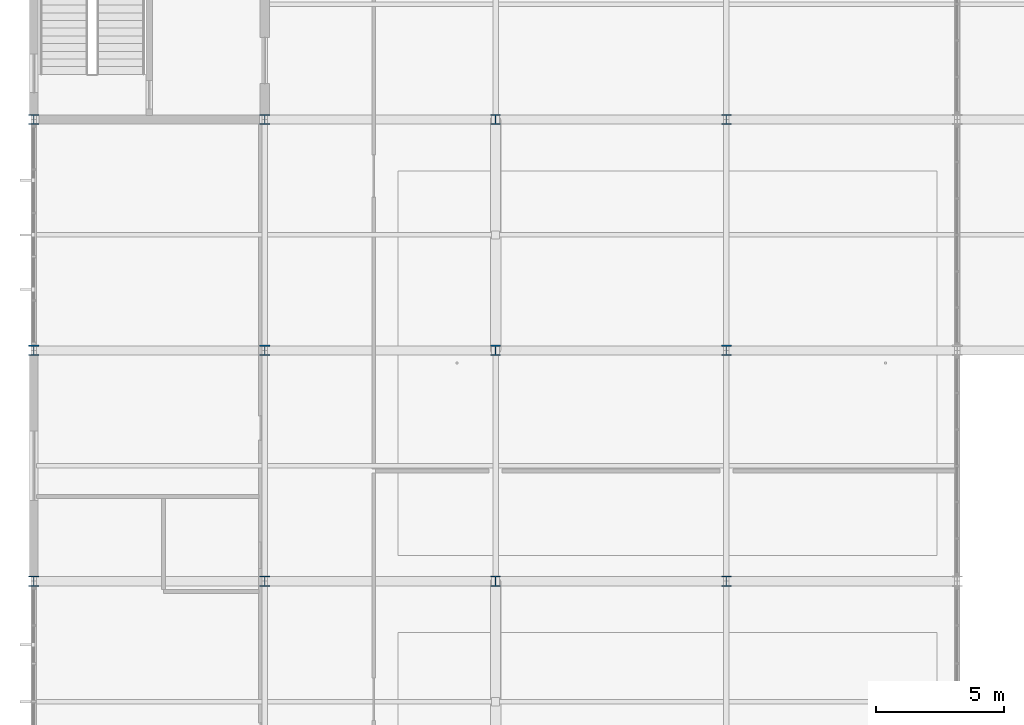
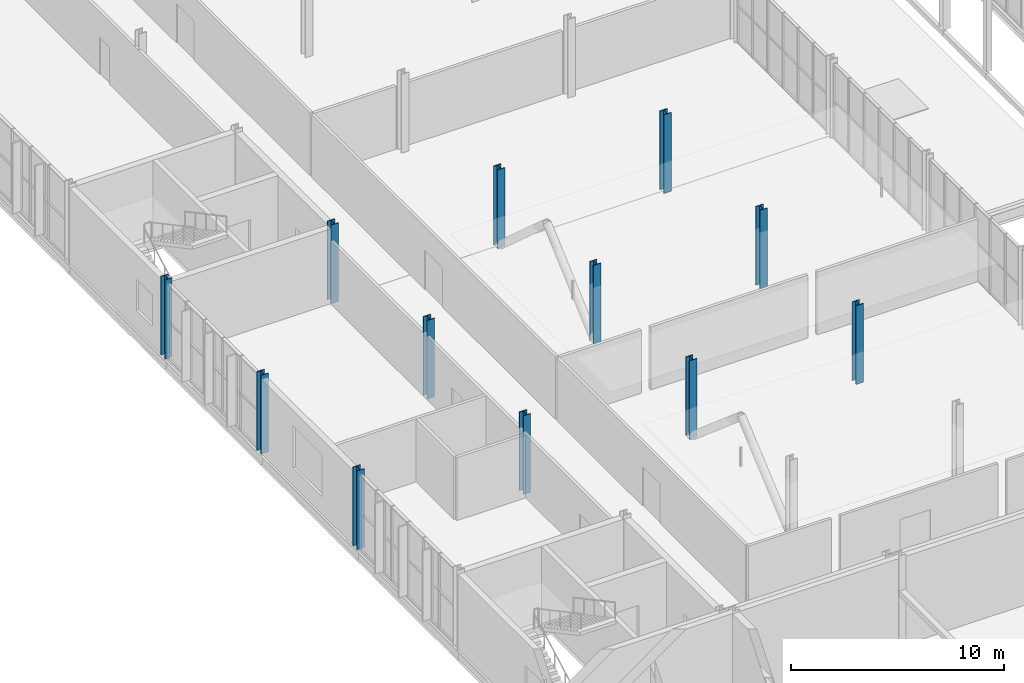
# One storey, part 8 of 134: 12 columns.
"""IFC4 building model written with IfcOpenShell, lengths in metres."""

from ifc_helpers import new_model, si_unit, direction, frame, origin, origin_2d, place, context, subcontext, project, spatial, i_section, extrude, material, material_profile, profile_set, type_object, element, save


model = new_model("IFC4")

# Units and contexts
model_context = context("Model", 3, precision=1e-05, world=origin(), true_north=direction((0.0, 1.0)))
body_context = subcontext(model_context, "Body", "Model", "MODEL_VIEW")
ifc_project = project(units=[si_unit("LENGTHUNIT", "METRE"), si_unit("AREAUNIT", "SQUARE_METRE"), si_unit("VOLUMEUNIT", "CUBIC_METRE"), si_unit("PLANEANGLEUNIT", "RADIAN"), si_unit("MASSUNIT", "GRAM", prefix="KILO")], contexts=[model_context])

# Site, building, storey
site_placement = place(None, origin())
site = spatial("IfcSite", under=ifc_project, at=site_placement, CompositionType="ELEMENT")
building_placement = place(site_placement, origin())
building = spatial("IfcBuilding", under=site, at=building_placement, Name="Cazmaro Siding Exhibition Halls", CompositionType="ELEMENT")
storey_placement = place(building_placement, frame((0.0, 0.0, 12.0)))
storey = spatial("IfcBuildingStorey", under=building, at=storey_placement, Name="L02", CompositionType="ELEMENT", Elevation=12.0)

# Columns
ifc_material = material(Name="Steel ASTM A992 Grade 50", Category="steel")
ifc_material_profile = material_profile(ifc_material, i_section(OverallWidth=0.40087890625, OverallDepth=0.39892578125, WebThickness=0.02490234375, FlangeThickness=0.0400390625, at=origin_2d()), Name="W14X211")
ifc_profile_set = profile_set([ifc_material_profile], Name="Steel ASTM A992 Grade 50")
column_type = type_object("IfcColumnType", Name="C-02", PredefinedType="COLUMN", material=ifc_profile_set)
for number, where, z_axis, x_axis, name in (
    (1, (0.0, 73.0, 0.0), (0.0, 0.0, 1.0), (1.0, 0.0, 0.0), "Column C-02 COL-0893"),
    (2, (0.0, 82.0, 0.0), (0.0, 0.0, 1.0), (1.0, 0.0, 0.0), "Column C-02 COL-0898"),
    (3, (0.0, 91.0, 0.0), (0.0, 0.0, 1.0), (1.0, 0.0, 0.0), "Column C-02 COL-0903"),
    (4, (9.0, 73.0, 0.0), (0.0, 0.0, 1.0), (1.0, 0.0, 0.0), "Column C-02 COL-0933"),
    (5, (9.0, 82.0, 0.0), (0.0, 0.0, 1.0), (1.0, 0.0, 0.0), "Column C-02 COL-0938"),
    (6, (9.0, 91.0, 0.0), (0.0, 0.0, 1.0), (1.0, 0.0, 0.0), "Column C-02 COL-0943"),
    (7, (18.0, 73.0, 0.0), (0.0, 0.0, 1.0), (1.0, 0.0, 0.0), "Column C-02 COL-0973"),
    (8, (18.0, 82.0, 0.0), (0.0, 0.0, 1.0), (1.0, 0.0, 0.0), "Column C-02 COL-0978"),
    (9, (18.0, 91.0, 0.0), (0.0, 0.0, 1.0), (1.0, 0.0, 0.0), "Column C-02 COL-0983"),
    (10, (27.0, 73.0, 0.0), (0.0, 0.0, 1.0), (1.0, 0.0, 0.0), "Column C-02 COL-1013"),
    (11, (27.0, 82.0, 0.0), (0.0, 0.0, 1.0), (1.0, 0.0, 0.0), "Column C-02 COL-1018"),
    (12, (27.0, 91.0, 0.0), (0.0, 0.0, 1.0), (1.0, 0.0, 0.0), "Column C-02 COL-1023"),
):
    element("IfcColumn", number, at=place(storey_placement, frame(where, z_axis=z_axis, x_axis=x_axis)), inside=storey, type_object=column_type, Name=name, PredefinedType="COLUMN", context=body_context, shape_type="SweptSolid", body=[
        extrude(i_section(OverallWidth=0.40087890625, OverallDepth=0.39892578125, WebThickness=0.02490234375, FlangeThickness=0.0400390625, at=origin_2d()), origin(), (0.0, 0.0, 1.0), 4.5),
    ])

save(model, "model.ifc")
